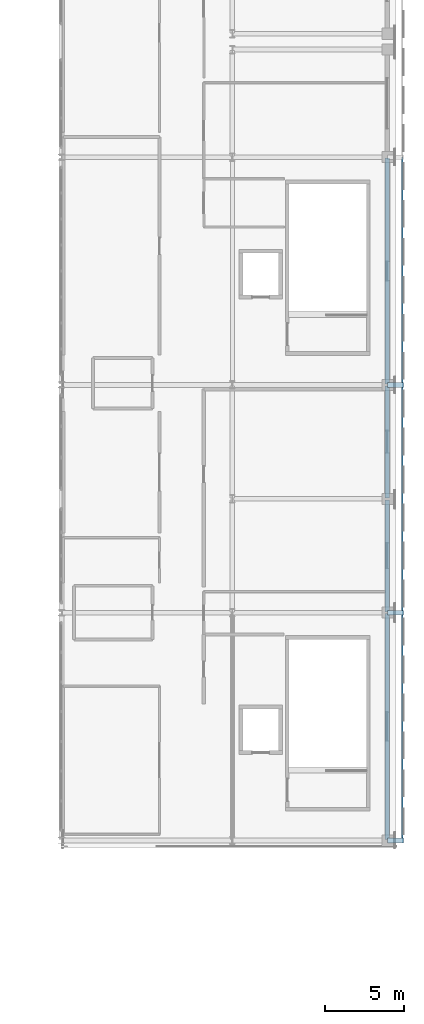
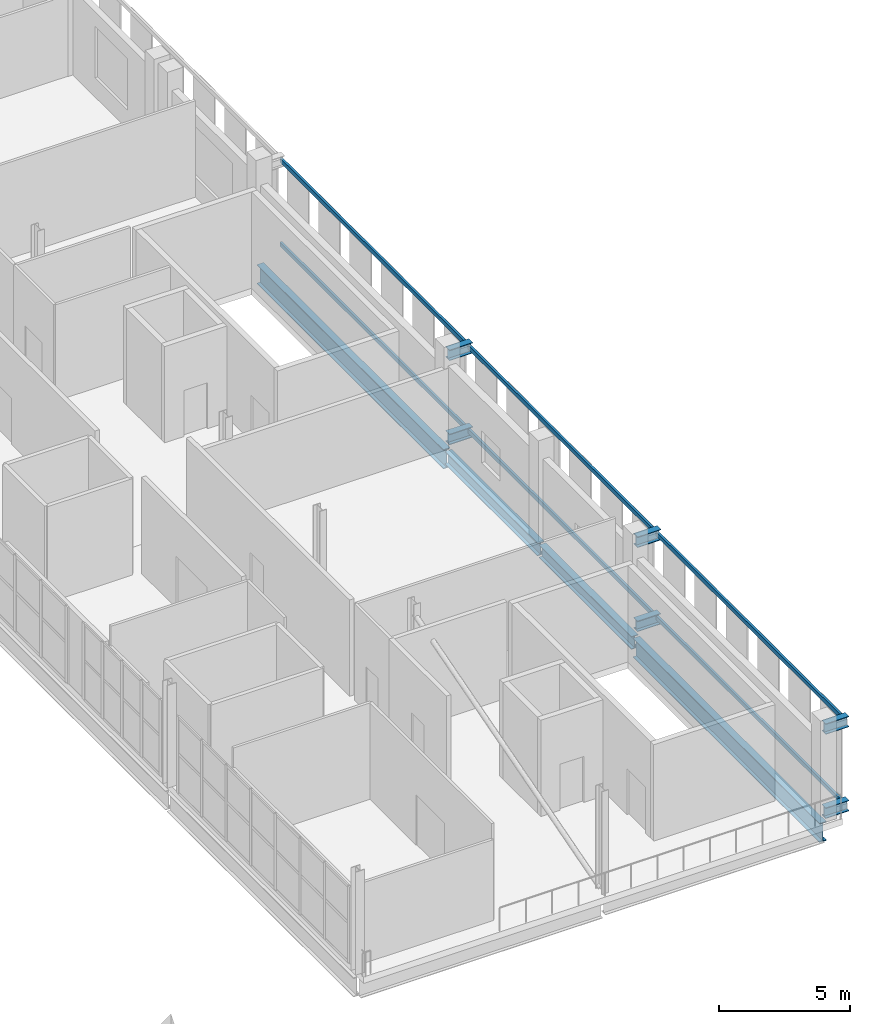
# One storey, part 18 of 51: 10 beams, 6 members.
"""IFC4 building model written with IfcOpenShell, lengths in metres."""

from ifc_helpers import new_model, si_unit, direction, frame, origin, origin_2d, place, context, subcontext, project, spatial, hollow_rectangle, i_section, extrude, material, material_profile, profile_set, type_object, element, save


model = new_model("IFC4")

# Units and contexts
model_context = context("Model", 3, precision=1e-05, world=origin(), true_north=direction((0.0, 1.0)))
body_context = subcontext(model_context, "Body", "Model", "MODEL_VIEW")
ifc_project = project(units=[si_unit("LENGTHUNIT", "METRE"), si_unit("AREAUNIT", "SQUARE_METRE"), si_unit("VOLUMEUNIT", "CUBIC_METRE"), si_unit("PLANEANGLEUNIT", "RADIAN"), si_unit("MASSUNIT", "GRAM", prefix="KILO")], contexts=[model_context])

# Site, building, storey
site_placement = place(None, origin())
site = spatial("IfcSite", under=ifc_project, at=site_placement, CompositionType="ELEMENT")
building_placement = place(site_placement, origin())
building = spatial("IfcBuilding", under=site, at=building_placement, Name="Koshinbarg Plaza Stadium", CompositionType="ELEMENT")
storey_placement = place(building_placement, frame((0.0, 0.0, 24.60009765625)))
storey = spatial("IfcBuildingStorey", under=building, at=storey_placement, Name="L05", CompositionType="ELEMENT", Elevation=24.60009765625)

# Beams
ifc_material = material(Name="Steel S355", Category="steel")
ifc_material_profile_1 = material_profile(ifc_material, i_section(OverallWidth=0.300048828125, OverallDepth=0.5, WebThickness=0.014404296875, FlangeThickness=0.028076171875, at=origin_2d()), Name="HEB 500")
ifc_profile_set_1 = profile_set([ifc_material_profile_1], Name="Steel S355")
beam_type_1 = type_object("IfcBeamType", Name="BM-CANOPY-CANT", PredefinedType="BEAM", material=ifc_profile_set_1)
for number, where, z_axis, x_axis, name in (
    (1, (218.39990234375, 25.5, 0.25), (1.0, 0.0, 0.0), (0.0, 1.0, 0.0), "Outer screen cantilever outrigger E-L05-Y01"),
    (2, (218.39990234375, 25.5, 4.179931640625), (1.0, 0.0, 0.0), (0.0, 1.0, 0.0), "Outer screen cantilever outrigger E-L05-Y01"),
    (3, (218.39990234375, 39.89990234375, 0.25), (1.0, 0.0, 0.0), (0.0, 1.0, 0.0), "Outer screen cantilever outrigger E-L05-Y02"),
    (4, (218.39990234375, 39.89990234375, 4.179931640625), (1.0, 0.0, 0.0), (0.0, 1.0, 0.0), "Outer screen cantilever outrigger E-L05-Y02"),
    (5, (218.39990234375, 54.300048828125, 0.25), (1.0, 0.0, 0.0), (0.0, 1.0, 0.0), "Outer screen cantilever outrigger E-L05-Y03"),
    (6, (218.39990234375, 54.300048828125, 4.179931640625), (1.0, 0.0, 0.0), (0.0, 1.0, 0.0), "Outer screen cantilever outrigger E-L05-Y03"),
):
    element("IfcBeam", number, at=place(storey_placement, frame(where, z_axis=z_axis, x_axis=x_axis)), inside=storey, type_object=beam_type_1, Name=name, PredefinedType="BEAM", context=body_context, shape_type="SweptSolid", body=[
        extrude(i_section(OverallWidth=0.300048828125, OverallDepth=0.5, WebThickness=0.014404296875, FlangeThickness=0.028076171875, at=origin_2d()), origin(), (0.0, 0.0, 1.0), 1.030029296875),
    ])
ifc_material_profile_2 = material_profile(ifc_material, i_section(OverallWidth=0.300048828125, OverallDepth=0.60009765625, WebThickness=0.015380859375, FlangeThickness=0.030029296875, at=origin_2d()), Name="HEB 600")
ifc_profile_set_2 = profile_set([ifc_material_profile_2], Name="Steel S355")
beam_type_2 = type_object("IfcBeamType", Name="BM-SGIR-02", PredefinedType="USERDEFINED", material=ifc_profile_set_2)
for number, where, z_axis, x_axis, name in (
    (7, (218.39990234375, 39.9599609375, -0.60009765625), (0.0, 1.0, 0.0), (-1.0, 0.0, 0.0), "L05 Y girder 21/F-G"),
    (8, (218.39990234375, 47.159912109375, -0.60009765625), (0.0, 1.0, 0.0), (-1.0, 0.0, 0.0), "L05 Y girder 21/G-H"),
):
    element("IfcBeam", number, at=place(storey_placement, frame(where, z_axis=z_axis, x_axis=x_axis)), inside=storey, type_object=beam_type_2, Name=name, ObjectType="GIRDER", PredefinedType="USERDEFINED", context=body_context, shape_type="SweptSolid", body=[
        extrude(i_section(OverallWidth=0.300048828125, OverallDepth=0.60009765625, WebThickness=0.015380859375, FlangeThickness=0.030029296875, at=origin_2d()), origin(), (0.0, 0.0, 1.0), 7.080078125),
    ])
ifc_material_profile_3 = material_profile(ifc_material, i_section(OverallWidth=0.300048828125, OverallDepth=0.89990234375, WebThickness=0.0185546875, FlangeThickness=0.034912109375, at=origin_2d()), Name="HEB 900")
ifc_profile_set_3 = profile_set([ifc_material_profile_3], Name="Steel S355")
beam_type_3 = type_object("IfcBeamType", Name="BM-SGIR-05", PredefinedType="USERDEFINED", material=ifc_profile_set_3)
beam_1_placement = place(storey_placement, frame((218.39990234375, 25.56005859375, -0.75), z_axis=(0.0, 1.0, 0.0), x_axis=(-1.0, 0.0, 0.0)))
element("IfcBeam", 9, at=beam_1_placement, inside=storey, type_object=beam_type_3, Name="L05 Y girder 21/E-F", ObjectType="GIRDER", PredefinedType="USERDEFINED", context=body_context, shape_type="SweptSolid", body=[
    extrude(i_section(OverallWidth=0.300048828125, OverallDepth=0.89990234375, WebThickness=0.0185546875, FlangeThickness=0.034912109375, at=origin_2d()), origin(), (0.0, 0.0, 1.0), 14.280029296875),
])
beam_2_placement = place(storey_placement, frame((218.39990234375, 54.360107421875, -0.75), z_axis=(0.0, 1.0, 0.0), x_axis=(-1.0, 0.0, 0.0)))
element("IfcBeam", 10, at=beam_2_placement, inside=storey, type_object=beam_type_3, Name="L05 Y girder 21/H-J", ObjectType="GIRDER", PredefinedType="USERDEFINED", context=body_context, shape_type="SweptSolid", body=[
    extrude(i_section(OverallWidth=0.300048828125, OverallDepth=0.89990234375, WebThickness=0.0185546875, FlangeThickness=0.034912109375, at=origin_2d()), origin(), (0.0, 0.0, 1.0), 14.27978515625),
])

# Members
ifc_material_profile_4 = material_profile(ifc_material, hollow_rectangle(XDim=0.10009765625, YDim=0.199951171875, WallThickness=0.008056640625, at=origin_2d()), Name="RHS 200x100x8")
ifc_profile_set_4 = profile_set([ifc_material_profile_4], Name="Steel S355")
member_type = type_object("IfcMemberType", Name="MB-PURL-03", PredefinedType="PURLIN", material=ifc_profile_set_4)
for number, where, z_axis, x_axis, name in (
    (11, (219.35009765625, 25.5, 0.25), (0.0, 1.0, 0.0), (-1.0, 0.0, 0.0), "L05 outer screen subframe rail E-1-BOT"),
    (12, (219.35009765625, 25.5, 4.179931640625), (0.0, 1.0, 0.0), (-1.0, 0.0, 0.0), "L05 outer screen subframe rail E-1-TOP"),
):
    element("IfcMember", number, at=place(storey_placement, frame(where, z_axis=z_axis, x_axis=x_axis)), inside=storey, type_object=member_type, Name=name, PredefinedType="PURLIN", context=body_context, shape_type="SweptSolid", body=[
        extrude(hollow_rectangle(XDim=0.10009765625, YDim=0.199951171875, WallThickness=0.008056640625, at=origin_2d()), origin(), (0.0, 0.0, 1.0), 14.39990234375),
    ])
for number, where, z_axis, x_axis, name in (
    (13, (219.35009765625, 39.89990234375, 0.25), (0.0, 1.0, 0.0), (-1.0, 0.0, 0.0), "L05 outer screen subframe rail E-2-BOT"),
    (14, (219.35009765625, 39.89990234375, 4.179931640625), (0.0, 1.0, 0.0), (-1.0, 0.0, 0.0), "L05 outer screen subframe rail E-2-TOP"),
):
    element("IfcMember", number, at=place(storey_placement, frame(where, z_axis=z_axis, x_axis=x_axis)), inside=storey, type_object=member_type, Name=name, PredefinedType="PURLIN", context=body_context, shape_type="SweptSolid", body=[
        extrude(hollow_rectangle(XDim=0.10009765625, YDim=0.199951171875, WallThickness=0.008056640625, at=origin_2d()), origin(), (0.0, 0.0, 1.0), 14.400146484375),
    ])
for number, where, z_axis, x_axis, name in (
    (15, (219.35009765625, 54.300048828125, 0.25), (0.0, 1.0, 0.0), (-1.0, 0.0, 0.0), "L05 outer screen subframe rail E-3-BOT"),
    (16, (219.35009765625, 54.300048828125, 4.179931640625), (0.0, 1.0, 0.0), (-1.0, 0.0, 0.0), "L05 outer screen subframe rail E-3-TOP"),
):
    element("IfcMember", number, at=place(storey_placement, frame(where, z_axis=z_axis, x_axis=x_axis)), inside=storey, type_object=member_type, Name=name, PredefinedType="PURLIN", context=body_context, shape_type="SweptSolid", body=[
        extrude(hollow_rectangle(XDim=0.10009765625, YDim=0.199951171875, WallThickness=0.008056640625, at=origin_2d()), origin(), (0.0, 0.0, 1.0), 14.39990234375),
    ])

save(model, "model.ifc")
